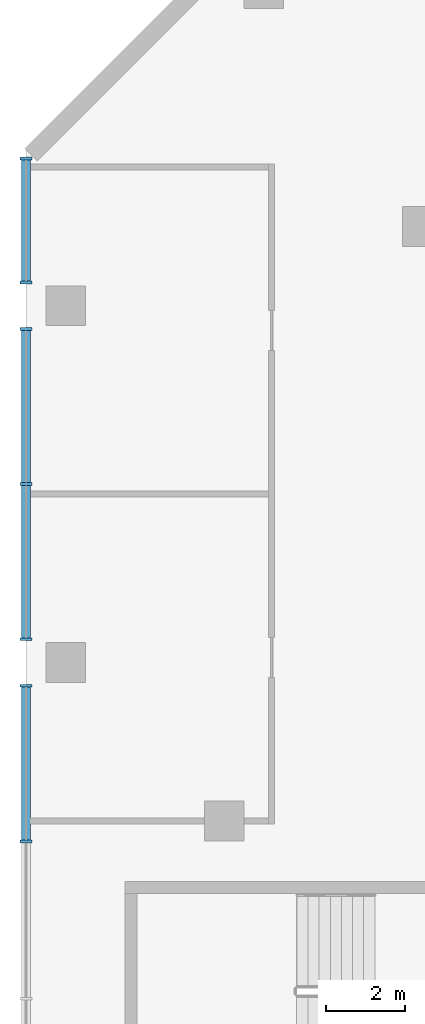
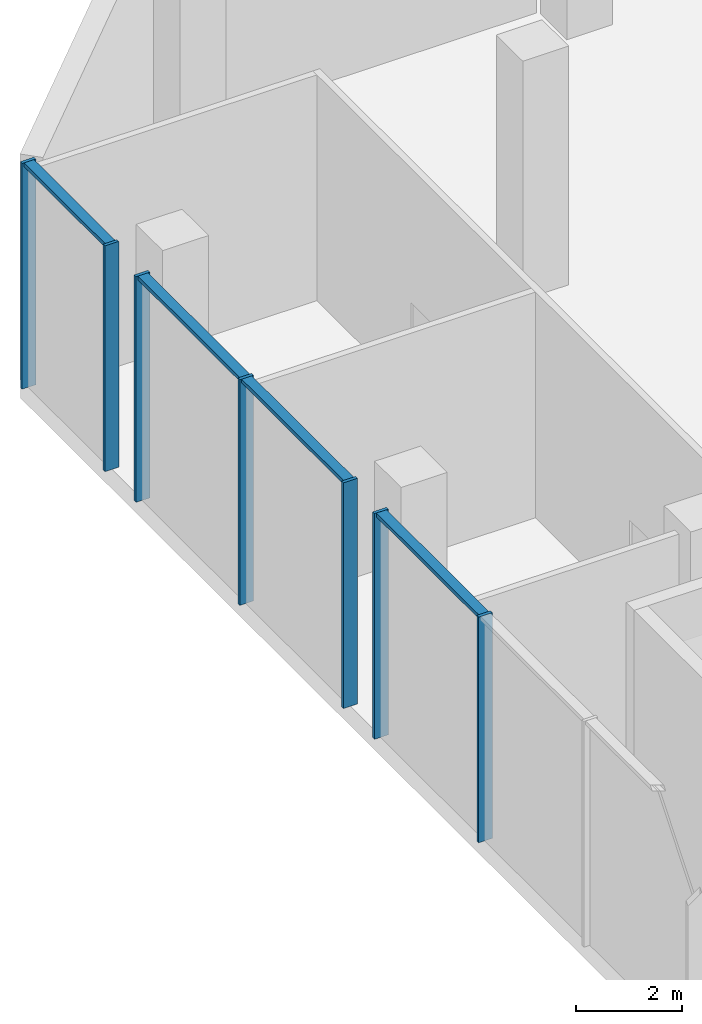
# One storey, part 6 of 25: 11 members, 3 elements without a shape of their own.
"""IFC4 building model written with IfcOpenShell, lengths in metres."""

import ifcopenshell
import ifcopenshell.guid

model = None  # the IFC model being written
_history = None  # IfcOwnerHistory: only IFC2X3 demands one
_inside = {}  # id of a spatial element -> (the spatial element, [elements in it])
_under = {}  # id of a project, library or spatial element -> (it, [spatial elements below it])
_declared = {}  # id of a project -> (the project, [libraries it declares])
_typed = {}  # id of a type object -> (the type object, [elements of that type])
_made_of = {}  # id of a material, layer set ... -> (it, [elements and type objects made of it])


def new_model(schema):
    """Start an empty IFC model of exactly this schema.

    Asked for "IFC4X3", IfcOpenShell would pick the latest addendum, in which some entities
    have other attributes; the version numbers below select the first issue.
    IFC2X3 requires an IfcOwnerHistory on every rooted entity: one is made here for all.
    """
    global model, _history
    if schema == "IFC4X3":
        model = ifcopenshell.file(schema_version=(4, 3, 0, 0))
    else:
        model = ifcopenshell.file(schema=schema)
    _inside.clear()
    _under.clear()
    _declared.clear()
    _typed.clear()
    _made_of.clear()
    _history = None
    if model.schema == "IFC2X3":
        org = make("IfcOrganization", Name="unknown")
        user = make(
            "IfcPersonAndOrganization",
            ThePerson=make("IfcPerson", FamilyName="unknown"),
            TheOrganization=org,
        )
        app = make(
            "IfcApplication",
            ApplicationDeveloper=org,
            Version="unknown",
            ApplicationFullName="unknown",
            ApplicationIdentifier="unknown",
        )
        _history = make(
            "IfcOwnerHistory",
            OwningUser=user,
            OwningApplication=app,
            ChangeAction="ADDED",
            CreationDate=0,
        )
    return model


def make(cls, **values):
    """One entity of the class cls with the attributes given. An attribute that is None is left unset."""
    return model.create_entity(
        cls, **{name: value for name, value in values.items() if value is not None}
    )


def rooted(cls, **values):
    """An entity with a GlobalId (a new one), such as an element, a storey or a relation."""
    return make(cls, GlobalId=ifcopenshell.guid.new(), OwnerHistory=_history, **values)


def si_unit(unit_type, name, prefix=None):
    """IfcSIUnit, for example si_unit("LENGTHUNIT", "METRE", prefix="MILLI")."""
    return make("IfcSIUnit", UnitType=unit_type, Prefix=prefix, Name=name)


def assignment(units):
    """IfcUnitAssignment: the units of a project."""
    return None if units is None else make("IfcUnitAssignment", Units=units)


def point(xyz):
    """IfcCartesianPoint."""
    return None if xyz is None else make("IfcCartesianPoint", Coordinates=xyz)


def direction(xyz):
    """IfcDirection."""
    return None if xyz is None else make("IfcDirection", DirectionRatios=xyz)


def frame(location, z_axis=None, x_axis=None):
    """IfcAxis2Placement3D, a coordinate frame: its origin and axes. An axis left out is left unset."""
    return make(
        "IfcAxis2Placement3D",
        Location=point(location),
        Axis=direction(z_axis),
        RefDirection=direction(x_axis),
    )


def frame_2d(location, x_axis=None):
    """IfcAxis2Placement2D, a coordinate frame in the plane: its origin and x axis."""
    return make(
        "IfcAxis2Placement2D", Location=point(location), RefDirection=direction(x_axis)
    )


def origin():
    """The frame at (0, 0, 0) with its axes left unset."""
    return frame((0.0, 0.0, 0.0))


def origin_2d():
    """The frame at (0, 0) in the plane with its x axis left unset."""
    return frame_2d((0.0, 0.0))


def place(relative_to, where):
    """IfcLocalPlacement: puts the frame where relative to a parent placement (None: the world)."""
    return make(
        "IfcLocalPlacement", PlacementRelTo=relative_to, RelativePlacement=where
    )


def context(
    kind, dimensions, precision=None, world=None, true_north=None, identifier=None
):
    """IfcGeometricRepresentationContext, for example the 3D "Model" context."""
    return make(
        "IfcGeometricRepresentationContext",
        ContextIdentifier=identifier,
        ContextType=kind,
        CoordinateSpaceDimension=dimensions,
        Precision=precision,
        WorldCoordinateSystem=world,
        TrueNorth=true_north,
    )


def subcontext(parent, identifier, kind, view, scale=None):
    """IfcGeometricRepresentationSubContext, for example "Body" below "Model"."""
    return make(
        "IfcGeometricRepresentationSubContext",
        ContextIdentifier=identifier,
        ContextType=kind,
        ParentContext=parent,
        TargetScale=scale,
        TargetView=view,
    )


def project(units=None, contexts=None):
    """IfcProject with its units and contexts."""
    return rooted(
        "IfcProject",
        Name="project",
        RepresentationContexts=contexts,
        UnitsInContext=assignment(units),
    )


def spatial(cls, under=None, at=None, **own):
    """A site, building, storey or space (cls), placed at a placement, below another one or the project."""
    s = rooted(cls, ObjectPlacement=at, **own)
    if under is not None:
        _under.setdefault(under.id(), (under, []))[1].append(s)
    return s


def profile(cls, at=None, kind="AREA", **sizes):
    """A parametric profile (cls). Its sizes go by their IFC names, for example OverallWidth=200.0."""
    return make(cls, ProfileType=kind, Position=at, **sizes)


def rectangle(**sizes):
    """IfcRectangleProfileDef."""
    return profile("IfcRectangleProfileDef", **sizes)


def extrude(swept, where, along, depth):
    """IfcExtrudedAreaSolid: the profile swept, set in the frame where, extruded along a direction by depth."""
    return make(
        "IfcExtrudedAreaSolid",
        SweptArea=swept,
        Position=where,
        ExtrudedDirection=direction(along),
        Depth=depth,
    )


def shape(context_of_items, identifier, shape_type, items):
    """IfcShapeRepresentation: the items that make up one representation, for example the "Body"."""
    return make(
        "IfcShapeRepresentation",
        ContextOfItems=context_of_items,
        RepresentationIdentifier=identifier,
        RepresentationType=shape_type,
        Items=items,
    )


def material(Name=None, Category=None):
    """IfcMaterial."""
    return make("IfcMaterial", Name=Name, Category=Category)


def material_profile(
    of_material, cross_section, Name=None, Category=None, Priority=None
):
    """IfcMaterialProfile: a cross section and its material."""
    return make(
        "IfcMaterialProfile",
        Name=Name,
        Material=of_material,
        Profile=cross_section,
        Priority=Priority,
        Category=Category,
    )


def profile_set(profiles, Name=None, composite=None):
    """IfcMaterialProfileSet."""
    return make(
        "IfcMaterialProfileSet",
        Name=Name,
        MaterialProfiles=profiles,
        CompositeProfile=composite,
    )


def made_of(thing, what):
    """Note that an element or type object is made of a material, layer set ...; save() writes the relation."""
    if what is not None:
        _made_of.setdefault(what.id(), (what, []))[1].append(thing)
    return thing


def type_object(cls, material=None, **own):
    """A type object (cls), such as IfcWallType, which elements share."""
    return made_of(rooted(cls, **own), material)


def element(
    cls,
    number,
    at=None,
    inside=None,
    cuts=None,
    type_object=None,
    material=None,
    context=None,
    identifier="Body",
    shape_type=None,
    held_by="IfcProductDefinitionShape",
    body=None,
    shapes=None,
    **own,
):
    """One element of the class cls, such as IfcWall. Its Tag is "e" and its number.

    at: its placement. inside: the storey or other place that contains it. cuts: it is an
    opening in that element (IfcRelVoidsElement). A single representation is given by context,
    identifier, shape_type and body (its items); several are given by shapes. held_by: the class
    of the entity that holds the representations. save() writes the other relations.
    """
    e = rooted(cls, Tag="e%d" % number, ObjectPlacement=at, **own)
    if body is not None:
        shapes = [shape(context, identifier, shape_type, body)]
    if shapes is not None:
        e.Representation = make(held_by, Representations=shapes)
    if inside is not None:
        _inside.setdefault(inside.id(), (inside, []))[1].append(e)
    if cuts is not None:
        rooted(
            "IfcRelVoidsElement", RelatingBuildingElement=cuts, RelatedOpeningElement=e
        )
    if type_object is not None:
        _typed.setdefault(type_object.id(), (type_object, []))[1].append(e)
    return made_of(e, material)


def aggregate(whole, parts):
    """IfcRelAggregates: a whole, such as a stair, and the parts it consists of."""
    return rooted("IfcRelAggregates", RelatingObject=whole, RelatedObjects=parts)


def save(model, path):
    """Write the relations noted so far, then the file.

    IfcRelAggregates (storeys below a building ...), IfcRelContainedInSpatialStructure (elements
    in a storey), IfcRelDefinesByType, IfcRelAssociatesMaterial and IfcRelDeclares: one each for
    every whole, place, type object, material and project.
    """
    for whole, parts in _under.values():
        aggregate(whole, parts)
    for where, things in _inside.values():
        rooted(
            "IfcRelContainedInSpatialStructure",
            RelatedElements=things,
            RelatingStructure=where,
        )
    for kind, things in _typed.values():
        rooted("IfcRelDefinesByType", RelatedObjects=things, RelatingType=kind)
    for what, things in _made_of.values():
        rooted("IfcRelAssociatesMaterial", RelatedObjects=things, RelatingMaterial=what)
    for by, libraries in _declared.values():
        rooted("IfcRelDeclares", RelatingContext=by, RelatedDefinitions=libraries)
    model.write(path)


model = new_model("IFC4")

# Units and contexts
model_context = context("Model", 3, precision=1e-05, world=origin(), true_north=direction((0.0, 1.0)))
body_context = subcontext(model_context, "Body", "Model", "MODEL_VIEW")
ifc_project = project(units=[si_unit("LENGTHUNIT", "METRE"), si_unit("AREAUNIT", "SQUARE_METRE"), si_unit("VOLUMEUNIT", "CUBIC_METRE"), si_unit("PLANEANGLEUNIT", "RADIAN"), si_unit("MASSUNIT", "GRAM", prefix="KILO")], contexts=[model_context])

# Site, building, storey
site_placement = place(None, origin())
site = spatial("IfcSite", under=ifc_project, at=site_placement, CompositionType="ELEMENT")
building_placement = place(site_placement, origin())
building = spatial("IfcBuilding", under=site, at=building_placement, Name="Wharfspan Tower", CompositionType="ELEMENT")
storey_placement = place(building_placement, frame((0.0, 0.0, 27.5)))
storey = spatial("IfcBuildingStorey", under=building, at=storey_placement, Name="L04", CompositionType="ELEMENT", Elevation=27.5)

# Curtain wall, members
ifc_material = material(Name="Aluminium 6063-T6", Category="aluminium")
curtain_wall_type = type_object("IfcCurtainWallType", Name="CURTAIN WALL ARENA STICK WALL", PredefinedType="NOTDEFINED", material=ifc_material)
curtain_wall_1_placement = place(storey_placement, origin())
curtain_wall_1 = element("IfcCurtainWall", 1, at=curtain_wall_1_placement, inside=storey, type_object=curtain_wall_type, Name="Concourse stick wall PF12.1", PredefinedType="NOTDEFINED")
ifc_material_profile_1 = material_profile(ifc_material, rectangle(XDim=0.300049, YDim=0.070068, at=origin_2d()))
ifc_profile_set_1 = profile_set([ifc_material_profile_1], Name="Aluminium 6063-T6")
member_type_1 = type_object("IfcMemberType", Name="MULLION ARENA STICK WALL 70x300", PredefinedType="MULLION", material=ifc_profile_set_1)
member_1_placement = place(storey_placement, frame((-12.0, 49.715088, 0.0), z_axis=(0.0, 0.0, 1.0), x_axis=(1.0, 0.0, 0.0)))
member_1 = element("IfcMember", 2, at=member_1_placement, type_object=member_type_1, Name="Concourse stick wall PF12.1 mullion 1", PredefinedType="MULLION", context=body_context, shape_type="SweptSolid", body=[
    extrude(rectangle(XDim=0.300049, YDim=0.070068, at=origin_2d()), origin(), (0.0, 0.0, 1.0), 5.199951),
])
member_2_placement = place(storey_placement, frame((-12.0, 46.584961, 0.0), z_axis=(0.0, 0.0, 1.0), x_axis=(1.0, 0.0, 0.0)))
member_2 = element("IfcMember", 3, at=member_2_placement, type_object=member_type_1, Name="Concourse stick wall PF12.1 mullion 2", PredefinedType="MULLION", context=body_context, shape_type="SweptSolid", body=[
    extrude(rectangle(XDim=0.300049, YDim=0.070068, at=origin_2d()), origin(), (0.0, 0.0, 1.0), 5.199951),
])

curtain_wall_2_placement = place(storey_placement, origin())
curtain_wall_2 = element("IfcCurtainWall", 4, at=curtain_wall_2_placement, inside=storey, type_object=curtain_wall_type, Name="Concourse stick wall PF12.2", PredefinedType="NOTDEFINED")
member_3_placement = place(storey_placement, frame((-12.0, 45.415039, 0.0), z_axis=(0.0, 0.0, 1.0), x_axis=(1.0, 0.0, 0.0)))
member_3 = element("IfcMember", 5, at=member_3_placement, type_object=member_type_1, Name="Concourse stick wall PF12.2 mullion 1", PredefinedType="MULLION", context=body_context, shape_type="SweptSolid", body=[
    extrude(rectangle(XDim=0.300049, YDim=0.070068, at=origin_2d()), origin(), (0.0, 0.0, 1.0), 5.199951),
])
member_4_placement = place(storey_placement, frame((-12.0, 41.5, 0.0), z_axis=(0.0, 0.0, 1.0), x_axis=(1.0, 0.0, 0.0)))
member_4 = element("IfcMember", 6, at=member_4_placement, type_object=member_type_1, Name="Concourse stick wall PF12.2 mullion 2", PredefinedType="MULLION", context=body_context, shape_type="SweptSolid", body=[
    extrude(rectangle(XDim=0.300049, YDim=0.070068, at=origin_2d()), origin(), (0.0, 0.0, 1.0), 5.199951),
])
member_5_placement = place(storey_placement, frame((-12.0, 37.584961, 0.0), z_axis=(0.0, 0.0, 1.0), x_axis=(1.0, 0.0, 0.0)))
member_5 = element("IfcMember", 7, at=member_5_placement, type_object=member_type_1, Name="Concourse stick wall PF12.2 mullion 3", PredefinedType="MULLION", context=body_context, shape_type="SweptSolid", body=[
    extrude(rectangle(XDim=0.300049, YDim=0.070068, at=origin_2d()), origin(), (0.0, 0.0, 1.0), 5.199951),
])

curtain_wall_3_placement = place(storey_placement, origin())
curtain_wall_3 = element("IfcCurtainWall", 8, at=curtain_wall_3_placement, inside=storey, type_object=curtain_wall_type, Name="Concourse stick wall PF12.3", PredefinedType="NOTDEFINED")
member_6_placement = place(storey_placement, frame((-12.0, 36.415039, 0.0), z_axis=(0.0, 0.0, 1.0), x_axis=(1.0, 0.0, 0.0)))
member_6 = element("IfcMember", 9, at=member_6_placement, type_object=member_type_1, Name="Concourse stick wall PF12.3 mullion 1", PredefinedType="MULLION", context=body_context, shape_type="SweptSolid", body=[
    extrude(rectangle(XDim=0.300049, YDim=0.070068, at=origin_2d()), origin(), (0.0, 0.0, 1.0), 5.199951),
])
member_7_placement = place(storey_placement, frame((-12.0, 32.483398, 0.0), z_axis=(0.0, 0.0, 1.0), x_axis=(1.0, 0.0, 0.0)))
member_7 = element("IfcMember", 10, at=member_7_placement, type_object=member_type_1, Name="Concourse stick wall PF12.3 mullion 2", PredefinedType="MULLION", context=body_context, shape_type="SweptSolid", body=[
    extrude(rectangle(XDim=0.300049, YDim=0.070068, at=origin_2d()), origin(), (0.0, 0.0, 1.0), 5.199951),
])

# Member
ifc_material_profile_2 = material_profile(ifc_material, rectangle(XDim=0.219971, YDim=0.090088, at=origin_2d()))
ifc_profile_set_2 = profile_set([ifc_material_profile_2], Name="Aluminium 6063-T6")
member_type_2 = type_object("IfcMemberType", Name="TRANSOM ARENA STICK WALL 90x220", PredefinedType="USERDEFINED", material=ifc_profile_set_2)
member_8_placement = place(storey_placement, frame((-12.0, 49.679932, 5.155029), z_axis=(0.0, -1.0, 0.0), x_axis=(1.0, 0.0, 0.0)))
member_8 = element("IfcMember", 11, at=member_8_placement, type_object=member_type_2, Name="Concourse stick wall PF12.1 transom 1", ObjectType="TRANSOM", PredefinedType="USERDEFINED", context=body_context, shape_type="SweptSolid", body=[
    extrude(rectangle(XDim=0.219971, YDim=0.090088, at=origin_2d()), origin(), (0.0, 0.0, 1.0), 3.059814),
])

aggregate(curtain_wall_1, [member_1, member_2, member_8])

member_9_placement = place(storey_placement, frame((-12.0, 45.379883, 5.155029), z_axis=(0.0, -1.0, 0.0), x_axis=(1.0, 0.0, 0.0)))
member_9 = element("IfcMember", 12, at=member_9_placement, type_object=member_type_2, Name="Concourse stick wall PF12.2 transom 1", ObjectType="TRANSOM", PredefinedType="USERDEFINED", context=body_context, shape_type="SweptSolid", body=[
    extrude(rectangle(XDim=0.219971, YDim=0.090088, at=origin_2d()), origin(), (0.0, 0.0, 1.0), 3.844971),
])

member_10_placement = place(storey_placement, frame((-12.0, 41.465088, 5.155029), z_axis=(0.0, -1.0, 0.0), x_axis=(1.0, 0.0, 0.0)))
member_10 = element("IfcMember", 13, at=member_10_placement, type_object=member_type_2, Name="Concourse stick wall PF12.2 transom 2", ObjectType="TRANSOM", PredefinedType="USERDEFINED", context=body_context, shape_type="SweptSolid", body=[
    extrude(rectangle(XDim=0.219971, YDim=0.090088, at=origin_2d()), origin(), (0.0, 0.0, 1.0), 3.844971),
])

aggregate(curtain_wall_2, [member_3, member_4, member_5, member_9, member_10])

member_11_placement = place(storey_placement, frame((-12.0, 36.379883, 5.155029), z_axis=(0.0, -1.0, 0.0), x_axis=(1.0, 0.0, 0.0)))
member_11 = element("IfcMember", 14, at=member_11_placement, type_object=member_type_2, Name="Concourse stick wall PF12.3 transom 1", ObjectType="TRANSOM", PredefinedType="USERDEFINED", context=body_context, shape_type="SweptSolid", body=[
    extrude(rectangle(XDim=0.219971, YDim=0.090088, at=origin_2d()), origin(), (0.0, 0.0, 1.0), 3.861572),
])

aggregate(curtain_wall_3, [member_6, member_7, member_11])

save(model, "model.ifc")
